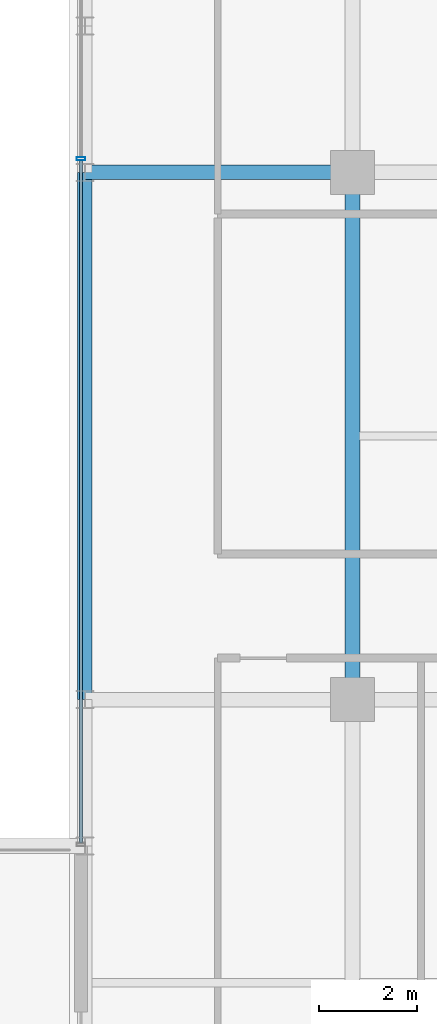
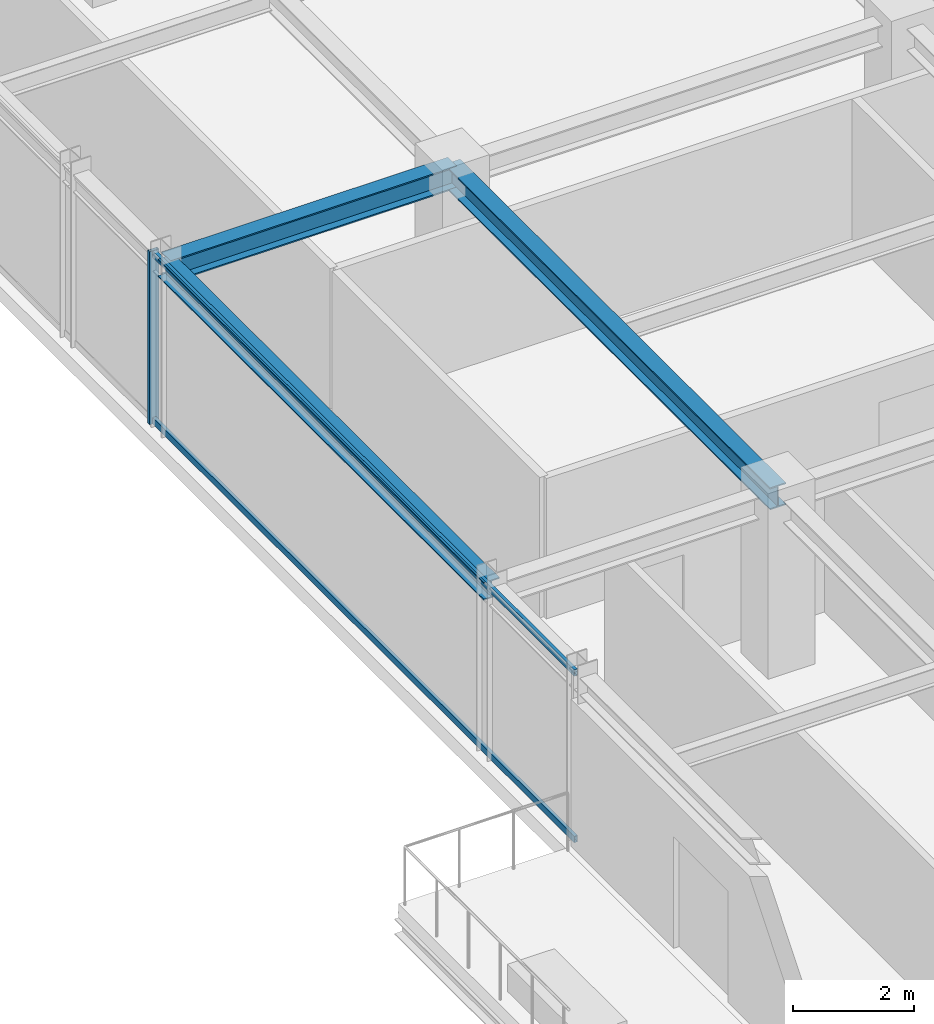
# One storey, part 10 of 31: 3 beams, 3 members, 1 element without a shape of its own.
"""IFC4 building model written with IfcOpenShell, lengths in metres."""

from ifc_helpers import new_model, si_unit, direction, frame, origin, origin_2d, place, context, subcontext, project, spatial, hollow_rectangle, i_section, extrude, source, transform, mapped, material, material_profile, profile_set, type_object, element, aggregate, save


model = new_model("IFC4")

# Units and contexts
model_context = context("Model", 3, precision=1e-05, world=origin(), true_north=direction((0.0, 1.0)))
body_context = subcontext(model_context, "Body", "Model", "MODEL_VIEW")
ifc_project = project(units=[si_unit("LENGTHUNIT", "METRE"), si_unit("AREAUNIT", "SQUARE_METRE"), si_unit("VOLUMEUNIT", "CUBIC_METRE"), si_unit("PLANEANGLEUNIT", "RADIAN"), si_unit("MASSUNIT", "GRAM", prefix="KILO")], contexts=[model_context])

# Site, building, storey
site_placement = place(None, origin())
site = spatial("IfcSite", under=ifc_project, at=site_placement, CompositionType="ELEMENT")
building_placement = place(site_placement, origin())
building = spatial("IfcBuilding", under=site, at=building_placement, Name="Nahalor Promenade Grand Hotel", CompositionType="ELEMENT")
storey_placement = place(building_placement, frame((0.0, 0.0, 323.35009765625)))
storey = spatial("IfcBuildingStorey", under=building, at=storey_placement, Name="L83", CompositionType="ELEMENT", Elevation=323.35009765625)

# Beams
ifc_material_1 = material(Name="Steel S355JR", Category="steel")
ifc_material_profile_1 = material_profile(ifc_material_1, i_section(OverallWidth=0.3, OverallDepth=0.45, WebThickness=0.014, FlangeThickness=0.026, at=origin_2d()), Name="HEB 450")
ifc_profile_set_1 = profile_set([ifc_material_profile_1], Name="Steel S355JR")
beam_type_1 = type_object("IfcBeamType", Name="Beam-Girder-HEB450", PredefinedType="BEAM", material=ifc_profile_set_1)
shared_shape_1 = source(origin(), body_context, "Body", "SweptSolid", [
    extrude(i_section(OverallWidth=0.3, OverallDepth=0.45, WebThickness=0.014, FlangeThickness=0.026, at=origin_2d()), origin(), (0.0, 0.0, 1.0), 10.7998046875),
])
beam_1_placement = place(storey_placement, frame((-17.0, -5.39990234375, 3.27490234375), z_axis=(0.0, 1.0, 0.0), x_axis=(-1.0, 0.0, 0.0)))
element("IfcBeam", 1, at=beam_1_placement, inside=storey, type_object=beam_type_1, Name="BM-L83-GY-0-2", PredefinedType="BEAM", context=body_context, shape_type="MappedRepresentation", body=[
    mapped(shared_shape_1, transform((0.0, 0.0, 0.0), scale=1.0)),
])
shared_shape_2 = source(origin(), body_context, "Body", "SweptSolid", [
    extrude(i_section(OverallWidth=0.3, OverallDepth=0.45, WebThickness=0.014, FlangeThickness=0.026, at=origin_2d()), origin(), (0.0, 0.0, 1.0), 5.47998046875),
])
beam_2_placement = place(storey_placement, frame((-22.47998046875, 5.39990234375, 3.27490234375), z_axis=(1.0, 0.0, 0.0), x_axis=(0.0, 1.0, 0.0)))
element("IfcBeam", 2, at=beam_2_placement, inside=storey, type_object=beam_type_1, Name="BM-L83-GX-2-0", PredefinedType="BEAM", context=body_context, shape_type="MappedRepresentation", body=[
    mapped(shared_shape_2, transform((0.0, 0.0, 0.0), scale=1.0)),
])
ifc_material_profile_2 = material_profile(ifc_material_1, i_section(OverallWidth=0.3, OverallDepth=0.36, WebThickness=0.0125, FlangeThickness=0.0225, at=origin_2d()), Name="HEB 360")
ifc_profile_set_2 = profile_set([ifc_material_profile_2], Name="Steel S355JR")
beam_type_2 = type_object("IfcBeamType", Name="Beam-Spandrel-HEB360", PredefinedType="SPANDREL", material=ifc_profile_set_2)
shared_shape_3 = source(origin(), body_context, "Body", "SweptSolid", [
    extrude(i_section(OverallWidth=0.3, OverallDepth=0.36, WebThickness=0.0125, FlangeThickness=0.0225, at=origin_2d()), origin(), (0.0, 0.0, 1.0), 10.7998046875),
])
beam_3_placement = place(storey_placement, frame((-22.47998046875, -5.39990234375, 3.31982421875), z_axis=(0.0, 1.0, 0.0), x_axis=(-1.0, 0.0, 0.0)))
element("IfcBeam", 3, at=beam_3_placement, inside=storey, type_object=beam_type_2, Name="BM-L83-SP-W-2", PredefinedType="SPANDREL", context=body_context, shape_type="MappedRepresentation", body=[
    mapped(shared_shape_3, transform((0.0, 0.0, 0.0), scale=1.0)),
])

# Curtain wall, members
ifc_material_2 = material(Name="Anodised Bronze Aluminium EN AW-6063 T6", Category="aluminium")
curtain_wall_type = type_object("IfcCurtainWallType", Name="CW2 Typical Hotel Flush Bronze Unitised Curtain Wall", PredefinedType="USERDEFINED", material=ifc_material_2)
curtain_wall_placement = place(storey_placement, origin())
curtain_wall = element("IfcCurtainWall", 4, at=curtain_wall_placement, inside=storey, type_object=curtain_wall_type, Name="L83 Curtain Wall CW-L83-W-3", ObjectType="UNITISED_CURTAIN_WALL", PredefinedType="USERDEFINED")
ifc_material_profile_3 = material_profile(ifc_material_2, hollow_rectangle(XDim=0.065, YDim=0.13, WallThickness=0.004, at=origin_2d()), Name="CWT 65x130x4")
ifc_profile_set_3 = profile_set([ifc_material_profile_3], Name="Anodised Bronze Aluminium EN AW-6063 T6")
member_type_1 = type_object("IfcMemberType", Name="CWT2 Typical Bronze Transom 65x130", PredefinedType="USERDEFINED", material=ifc_profile_set_3)
shared_shape_4 = source(origin(), body_context, "Body", "SweptSolid", [
    extrude(hollow_rectangle(XDim=0.065, YDim=0.13, WallThickness=0.004, at=origin_2d()), origin(), (0.0, 0.0, 1.0), 13.982421875),
])
member_1_placement = place(storey_placement, frame((-22.56005859375, -8.3349609375, 0.06494140625), z_axis=(0.0, 1.0, 0.0), x_axis=(-1.0, 0.0, 0.0)))
member_1 = element("IfcMember", 5, at=member_1_placement, type_object=member_type_1, Name="CW-L83-W-3 Transom 0-0", ObjectType="TRANSOM", PredefinedType="USERDEFINED", context=body_context, shape_type="MappedRepresentation", body=[
    mapped(shared_shape_4, transform((0.0, 0.0, 0.0), scale=1.0)),
])
member_2_placement = place(storey_placement, frame((-22.56005859375, -8.3349609375, 3.434814453125), z_axis=(0.0, 1.0, 0.0), x_axis=(-1.0, 0.0, 0.0)))
member_2 = element("IfcMember", 6, at=member_2_placement, type_object=member_type_1, Name="CW-L83-W-3 Transom 0-1", ObjectType="TRANSOM", PredefinedType="USERDEFINED", context=body_context, shape_type="MappedRepresentation", body=[
    mapped(shared_shape_4, transform((0.0, 0.0, 0.0), scale=1.0)),
])
ifc_material_profile_4 = material_profile(ifc_material_2, hollow_rectangle(XDim=0.065, YDim=0.18, WallThickness=0.004, at=origin_2d()), Name="CWM 65x180x4")
ifc_profile_set_4 = profile_set([ifc_material_profile_4], Name="Anodised Bronze Aluminium EN AW-6063 T6")
member_type_2 = type_object("IfcMemberType", Name="CWM2 Typical Bronze Mullion 65x180", PredefinedType="MULLION", material=ifc_profile_set_4)
shared_shape_5 = source(origin(), body_context, "Body", "SweptSolid", [
    extrude(hollow_rectangle(XDim=0.065, YDim=0.18, WallThickness=0.004, at=origin_2d()), origin(), (0.0, 0.0, 1.0), 3.5),
])
member_3_placement = place(storey_placement, frame((-22.56005859375, 5.679931640625, 0.0), z_axis=(0.0, 0.0, 1.0), x_axis=(0.0, 1.0, 0.0)))
member_3 = element("IfcMember", 7, at=member_3_placement, type_object=member_type_2, Name="CW-L83-W-3 Mullion 1", PredefinedType="MULLION", context=body_context, shape_type="MappedRepresentation", body=[
    mapped(shared_shape_5, transform((0.0, 0.0, 0.0), scale=1.0)),
])
aggregate(curtain_wall, [member_3, member_1, member_2])

save(model, "model.ifc")
